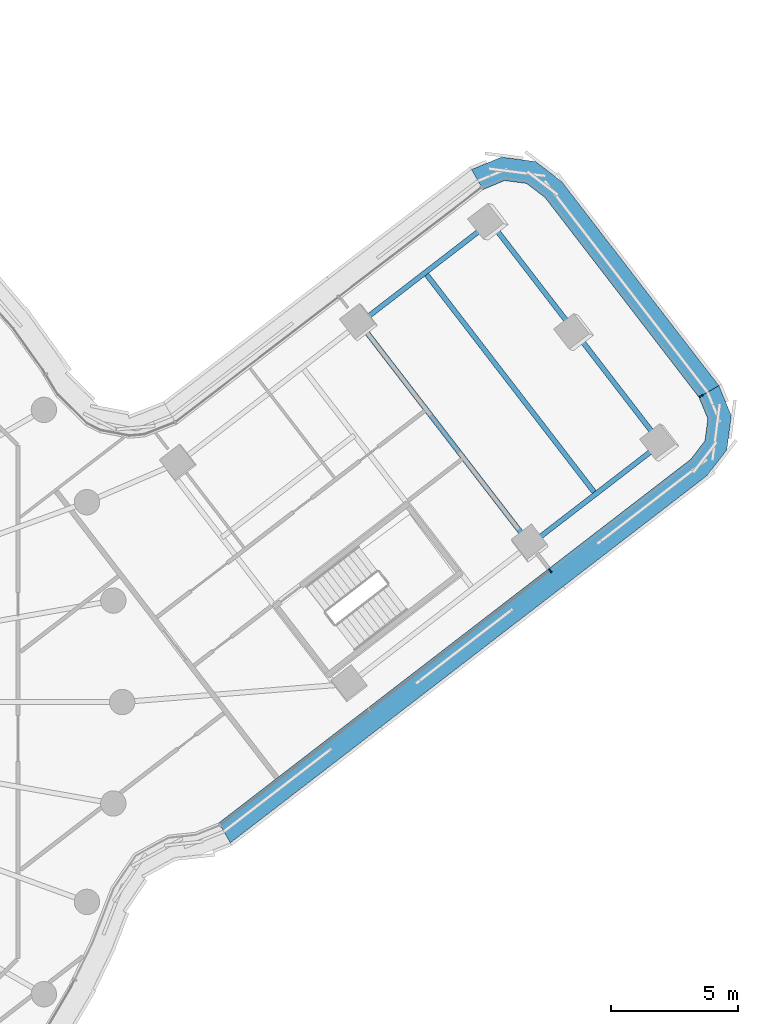
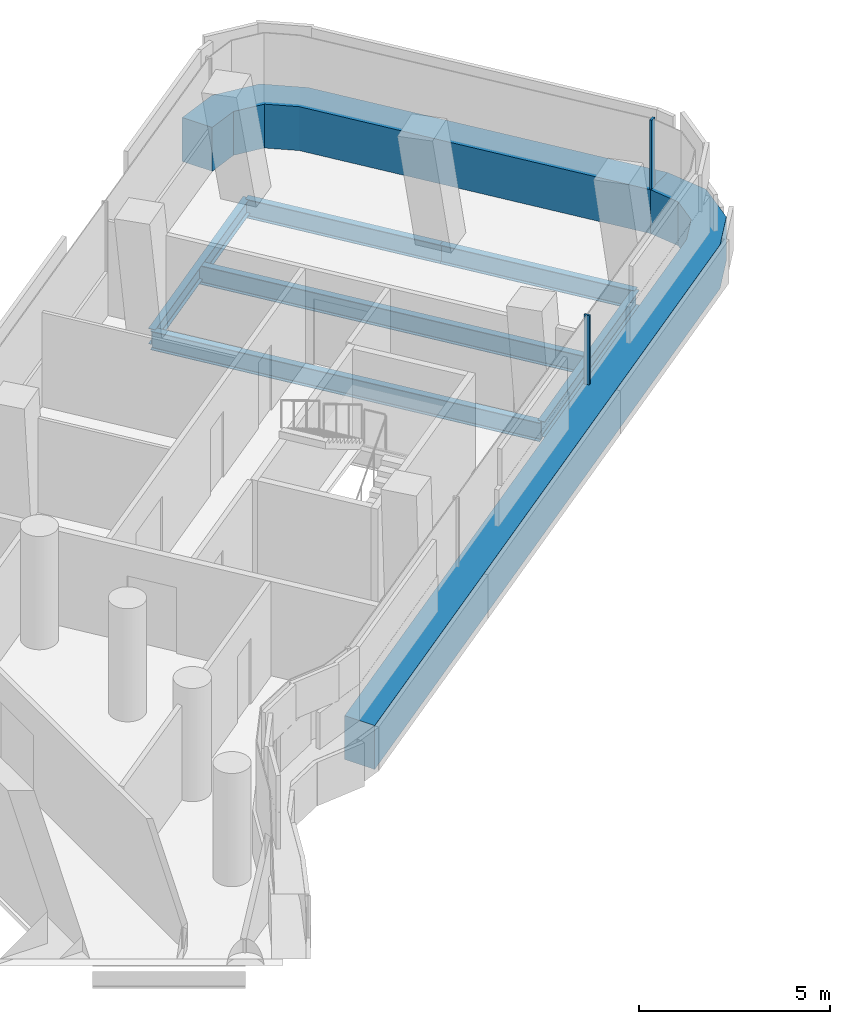
# One storey, part 13 of 33: 6 beams, 4 members, 2 elements without a shape of their own.
"""IFC4 building model written with IfcOpenShell, lengths in metres."""

import ifcopenshell
import ifcopenshell.guid

model = None  # the IFC model being written
_history = None  # IfcOwnerHistory: only IFC2X3 demands one
_inside = {}  # id of a spatial element -> (the spatial element, [elements in it])
_under = {}  # id of a project, library or spatial element -> (it, [spatial elements below it])
_declared = {}  # id of a project -> (the project, [libraries it declares])
_typed = {}  # id of a type object -> (the type object, [elements of that type])
_made_of = {}  # id of a material, layer set ... -> (it, [elements and type objects made of it])


def new_model(schema):
    """Start an empty IFC model of exactly this schema.

    Asked for "IFC4X3", IfcOpenShell would pick the latest addendum, in which some entities
    have other attributes; the version numbers below select the first issue.
    IFC2X3 requires an IfcOwnerHistory on every rooted entity: one is made here for all.
    """
    global model, _history
    if schema == "IFC4X3":
        model = ifcopenshell.file(schema_version=(4, 3, 0, 0))
    else:
        model = ifcopenshell.file(schema=schema)
    _inside.clear()
    _under.clear()
    _declared.clear()
    _typed.clear()
    _made_of.clear()
    _history = None
    if model.schema == "IFC2X3":
        org = make("IfcOrganization", Name="unknown")
        user = make(
            "IfcPersonAndOrganization",
            ThePerson=make("IfcPerson", FamilyName="unknown"),
            TheOrganization=org,
        )
        app = make(
            "IfcApplication",
            ApplicationDeveloper=org,
            Version="unknown",
            ApplicationFullName="unknown",
            ApplicationIdentifier="unknown",
        )
        _history = make(
            "IfcOwnerHistory",
            OwningUser=user,
            OwningApplication=app,
            ChangeAction="ADDED",
            CreationDate=0,
        )
    return model


def make(cls, **values):
    """One entity of the class cls with the attributes given. An attribute that is None is left unset."""
    return model.create_entity(
        cls, **{name: value for name, value in values.items() if value is not None}
    )


def rooted(cls, **values):
    """An entity with a GlobalId (a new one), such as an element, a storey or a relation."""
    return make(cls, GlobalId=ifcopenshell.guid.new(), OwnerHistory=_history, **values)


def si_unit(unit_type, name, prefix=None):
    """IfcSIUnit, for example si_unit("LENGTHUNIT", "METRE", prefix="MILLI")."""
    return make("IfcSIUnit", UnitType=unit_type, Prefix=prefix, Name=name)


def assignment(units):
    """IfcUnitAssignment: the units of a project."""
    return None if units is None else make("IfcUnitAssignment", Units=units)


def point(xyz):
    """IfcCartesianPoint."""
    return None if xyz is None else make("IfcCartesianPoint", Coordinates=xyz)


def direction(xyz):
    """IfcDirection."""
    return None if xyz is None else make("IfcDirection", DirectionRatios=xyz)


def frame(location, z_axis=None, x_axis=None):
    """IfcAxis2Placement3D, a coordinate frame: its origin and axes. An axis left out is left unset."""
    return make(
        "IfcAxis2Placement3D",
        Location=point(location),
        Axis=direction(z_axis),
        RefDirection=direction(x_axis),
    )


def frame_2d(location, x_axis=None):
    """IfcAxis2Placement2D, a coordinate frame in the plane: its origin and x axis."""
    return make(
        "IfcAxis2Placement2D", Location=point(location), RefDirection=direction(x_axis)
    )


def origin():
    """The frame at (0, 0, 0) with its axes left unset."""
    return frame((0.0, 0.0, 0.0))


def origin_2d():
    """The frame at (0, 0) in the plane with its x axis left unset."""
    return frame_2d((0.0, 0.0))


def place(relative_to, where):
    """IfcLocalPlacement: puts the frame where relative to a parent placement (None: the world)."""
    return make(
        "IfcLocalPlacement", PlacementRelTo=relative_to, RelativePlacement=where
    )


def context(
    kind, dimensions, precision=None, world=None, true_north=None, identifier=None
):
    """IfcGeometricRepresentationContext, for example the 3D "Model" context."""
    return make(
        "IfcGeometricRepresentationContext",
        ContextIdentifier=identifier,
        ContextType=kind,
        CoordinateSpaceDimension=dimensions,
        Precision=precision,
        WorldCoordinateSystem=world,
        TrueNorth=true_north,
    )


def subcontext(parent, identifier, kind, view, scale=None):
    """IfcGeometricRepresentationSubContext, for example "Body" below "Model"."""
    return make(
        "IfcGeometricRepresentationSubContext",
        ContextIdentifier=identifier,
        ContextType=kind,
        ParentContext=parent,
        TargetScale=scale,
        TargetView=view,
    )


def project(units=None, contexts=None):
    """IfcProject with its units and contexts."""
    return rooted(
        "IfcProject",
        Name="project",
        RepresentationContexts=contexts,
        UnitsInContext=assignment(units),
    )


def spatial(cls, under=None, at=None, **own):
    """A site, building, storey or space (cls), placed at a placement, below another one or the project."""
    s = rooted(cls, ObjectPlacement=at, **own)
    if under is not None:
        _under.setdefault(under.id(), (under, []))[1].append(s)
    return s


def polyline(points):
    """IfcPolyline through the points."""
    return make("IfcPolyline", Points=[point(p) for p in points])


def profile(cls, at=None, kind="AREA", **sizes):
    """A parametric profile (cls). Its sizes go by their IFC names, for example OverallWidth=200.0."""
    return make(cls, ProfileType=kind, Position=at, **sizes)


def rectangle(**sizes):
    """IfcRectangleProfileDef."""
    return profile("IfcRectangleProfileDef", **sizes)


def i_section(**sizes):
    """IfcIShapeProfileDef."""
    return profile("IfcIShapeProfileDef", **sizes)


def outline(outer, holes=None, kind="AREA"):
    """IfcArbitraryClosedProfileDef: a profile drawn as a closed curve; with holes, ...WithVoids."""
    if holes is None:
        return make("IfcArbitraryClosedProfileDef", ProfileType=kind, OuterCurve=outer)
    return make(
        "IfcArbitraryProfileDefWithVoids",
        ProfileType=kind,
        OuterCurve=outer,
        InnerCurves=holes,
    )


def extrude(swept, where, along, depth):
    """IfcExtrudedAreaSolid: the profile swept, set in the frame where, extruded along a direction by depth."""
    return make(
        "IfcExtrudedAreaSolid",
        SweptArea=swept,
        Position=where,
        ExtrudedDirection=direction(along),
        Depth=depth,
    )


def shape(context_of_items, identifier, shape_type, items):
    """IfcShapeRepresentation: the items that make up one representation, for example the "Body"."""
    return make(
        "IfcShapeRepresentation",
        ContextOfItems=context_of_items,
        RepresentationIdentifier=identifier,
        RepresentationType=shape_type,
        Items=items,
    )


def material(Name=None, Category=None):
    """IfcMaterial."""
    return make("IfcMaterial", Name=Name, Category=Category)


def layer(
    of_material, thickness, ventilated=None, Name=None, Category=None, Priority=None
):
    """IfcMaterialLayer: one layer of a wall or slab, of a material (None: an air gap)."""
    return make(
        "IfcMaterialLayer",
        Material=of_material,
        LayerThickness=thickness,
        IsVentilated=ventilated,
        Name=Name,
        Category=Category,
        Priority=Priority,
    )


def layer_set(layers, Name=None):
    """IfcMaterialLayerSet."""
    return make("IfcMaterialLayerSet", MaterialLayers=layers, LayerSetName=Name)


def material_profile(
    of_material, cross_section, Name=None, Category=None, Priority=None
):
    """IfcMaterialProfile: a cross section and its material."""
    return make(
        "IfcMaterialProfile",
        Name=Name,
        Material=of_material,
        Profile=cross_section,
        Priority=Priority,
        Category=Category,
    )


def profile_set(profiles, Name=None, composite=None):
    """IfcMaterialProfileSet."""
    return make(
        "IfcMaterialProfileSet",
        Name=Name,
        MaterialProfiles=profiles,
        CompositeProfile=composite,
    )


def made_of(thing, what):
    """Note that an element or type object is made of a material, layer set ...; save() writes the relation."""
    if what is not None:
        _made_of.setdefault(what.id(), (what, []))[1].append(thing)
    return thing


def type_object(cls, material=None, **own):
    """A type object (cls), such as IfcWallType, which elements share."""
    return made_of(rooted(cls, **own), material)


def element(
    cls,
    number,
    at=None,
    inside=None,
    cuts=None,
    type_object=None,
    material=None,
    context=None,
    identifier="Body",
    shape_type=None,
    held_by="IfcProductDefinitionShape",
    body=None,
    shapes=None,
    **own,
):
    """One element of the class cls, such as IfcWall. Its Tag is "e" and its number.

    at: its placement. inside: the storey or other place that contains it. cuts: it is an
    opening in that element (IfcRelVoidsElement). A single representation is given by context,
    identifier, shape_type and body (its items); several are given by shapes. held_by: the class
    of the entity that holds the representations. save() writes the other relations.
    """
    e = rooted(cls, Tag="e%d" % number, ObjectPlacement=at, **own)
    if body is not None:
        shapes = [shape(context, identifier, shape_type, body)]
    if shapes is not None:
        e.Representation = make(held_by, Representations=shapes)
    if inside is not None:
        _inside.setdefault(inside.id(), (inside, []))[1].append(e)
    if cuts is not None:
        rooted(
            "IfcRelVoidsElement", RelatingBuildingElement=cuts, RelatedOpeningElement=e
        )
    if type_object is not None:
        _typed.setdefault(type_object.id(), (type_object, []))[1].append(e)
    return made_of(e, material)


def aggregate(whole, parts):
    """IfcRelAggregates: a whole, such as a stair, and the parts it consists of."""
    return rooted("IfcRelAggregates", RelatingObject=whole, RelatedObjects=parts)


def save(model, path):
    """Write the relations noted so far, then the file.

    IfcRelAggregates (storeys below a building ...), IfcRelContainedInSpatialStructure (elements
    in a storey), IfcRelDefinesByType, IfcRelAssociatesMaterial and IfcRelDeclares: one each for
    every whole, place, type object, material and project.
    """
    for whole, parts in _under.values():
        aggregate(whole, parts)
    for where, things in _inside.values():
        rooted(
            "IfcRelContainedInSpatialStructure",
            RelatedElements=things,
            RelatingStructure=where,
        )
    for kind, things in _typed.values():
        rooted("IfcRelDefinesByType", RelatedObjects=things, RelatingType=kind)
    for what, things in _made_of.values():
        rooted("IfcRelAssociatesMaterial", RelatedObjects=things, RelatingMaterial=what)
    for by, libraries in _declared.values():
        rooted("IfcRelDeclares", RelatingContext=by, RelatedDefinitions=libraries)
    model.write(path)


model = new_model("IFC4")

# Units and contexts
model_context = context("Model", 3, precision=1e-05, world=origin(), true_north=direction((0.0, 1.0)))
body_context = subcontext(model_context, "Body", "Model", "MODEL_VIEW")
ifc_project = project(units=[si_unit("LENGTHUNIT", "METRE"), si_unit("AREAUNIT", "SQUARE_METRE"), si_unit("VOLUMEUNIT", "CUBIC_METRE"), si_unit("PLANEANGLEUNIT", "RADIAN"), si_unit("MASSUNIT", "GRAM", prefix="KILO")], contexts=[model_context])

# Site, building, storey
site_placement = place(None, origin())
site = spatial("IfcSite", under=ifc_project, at=site_placement, CompositionType="ELEMENT")
building_placement = place(site_placement, origin())
building = spatial("IfcBuilding", under=site, at=building_placement, Name="Tamarind Cross Interchange Tower", CompositionType="ELEMENT")
storey_placement = place(building_placement, frame((0.0, 0.0, 170.5)))
storey = spatial("IfcBuildingStorey", under=building, at=storey_placement, Name="L42", CompositionType="ELEMENT", Elevation=170.5)

# Beams
ifc_material_1 = material(Name="Steel Q355B", Category="steel")
ifc_material_profile_1 = material_profile(ifc_material_1, i_section(OverallWidth=0.198974609375, OverallDepth=0.49609375, WebThickness=0.009033203125, FlangeThickness=0.013916015625, FilletRadius=0.012939453125, at=origin_2d()), Name="HN 496x199x9x14")
ifc_profile_set_1 = profile_set([ifc_material_profile_1], Name="Steel Q355B")
beam_type_1 = type_object("IfcBeamType", Name="Composite beam HN 496x199x9x14 Q355B", PredefinedType="BEAM", material=ifc_profile_set_1)
for number, where, z_axis, x_axis, name in (
    (1, (44.21337890625, 10.17138671875, -0.387939453125), (-0.792149322679, -0.610327330684, 0.0), (0.610327330684, -0.792149322679, 0.0), "Beam E-edgeem5"),
    (2, (37.499755859375, 18.885009765625, -0.387939453125), (-0.79216747005, -0.610303776324, 0.0), (0.610303776324, -0.79216747005, 0.0), "Beam E-edgeep2"),
):
    element("IfcBeam", number, at=place(storey_placement, frame(where, z_axis=z_axis, x_axis=x_axis)), inside=storey, type_object=beam_type_1, Name=name, PredefinedType="BEAM", context=body_context, shape_type="SweptSolid", body=[
        extrude(i_section(OverallWidth=0.198974609375, OverallDepth=0.49609375, WebThickness=0.009033203125, FlangeThickness=0.013916015625, FilletRadius=0.012939453125, at=origin_2d()), origin(), (0.0, 0.0, 1.0), 6.504150390625),
    ])
ifc_material_profile_2 = material_profile(ifc_material_1, i_section(OverallWidth=0.199951171875, OverallDepth=0.60009765625, WebThickness=0.010986328125, FlangeThickness=0.01708984375, FilletRadius=0.012939453125, at=origin_2d()), Name="HN 600x200x11x17")
ifc_profile_set_2 = profile_set([ifc_material_profile_2], Name="Steel Q355B")
beam_type_2 = type_object("IfcBeamType", Name="Composite beam HN 600x200x11x17 Q355B", PredefinedType="BEAM", material=ifc_profile_set_2)
beam_1_placement = place(storey_placement, frame((44.21337890625, 10.17138671875, -0.43994140625), z_axis=(-0.610332662725, 0.792145214472, 0.0), x_axis=(-0.792145214472, -0.610332662725, 0.0)))
element("IfcBeam", 3, at=beam_1_placement, inside=storey, type_object=beam_type_2, Name="Beam E-tip0", PredefinedType="BEAM", context=body_context, shape_type="SweptSolid", body=[
    extrude(i_section(OverallWidth=0.199951171875, OverallDepth=0.60009765625, WebThickness=0.010986328125, FlangeThickness=0.01708984375, FilletRadius=0.012939453125, at=origin_2d()), origin(), (0.0, 0.0, 1.0), 5.500244140625),
])
beam_2_placement = place(storey_placement, frame((40.8564453125, 14.5283203125, -0.43994140625), z_axis=(-0.610326269486, 0.792150140299, 0.0), x_axis=(-0.792150140299, -0.610326269486, 0.0)))
element("IfcBeam", 4, at=beam_2_placement, inside=storey, type_object=beam_type_2, Name="Beam E-tip1", PredefinedType="BEAM", context=body_context, shape_type="SweptSolid", body=[
    extrude(i_section(OverallWidth=0.199951171875, OverallDepth=0.60009765625, WebThickness=0.010986328125, FlangeThickness=0.01708984375, FilletRadius=0.012939453125, at=origin_2d()), origin(), (0.0, 0.0, 1.0), 5.499755859375),
])
beam_3_placement = place(storey_placement, frame((39.06103515625, 6.20166015625, -0.43994140625), z_axis=(-0.610318735893, 0.792155944634, 0.0), x_axis=(-0.792155944634, -0.610318735893, 0.0)))
element("IfcBeam", 5, at=beam_3_placement, inside=storey, type_object=beam_type_2, Name="Beam E-x393", PredefinedType="BEAM", context=body_context, shape_type="SweptSolid", body=[
    extrude(i_section(OverallWidth=0.199951171875, OverallDepth=0.60009765625, WebThickness=0.010986328125, FlangeThickness=0.01708984375, FilletRadius=0.012939453125, at=origin_2d()), origin(), (0.0, 0.0, 1.0), 11.000244140625),
])
beam_4_placement = place(storey_placement, frame((41.63720703125, 8.1865234375, -0.43994140625), z_axis=(-0.61032946621, 0.792147677315, 0.0), x_axis=(-0.792147677315, -0.61032946621, 0.0)))
element("IfcBeam", 6, at=beam_4_placement, inside=storey, type_object=beam_type_2, Name="Beam E-x426", PredefinedType="BEAM", context=body_context, shape_type="SweptSolid", body=[
    extrude(i_section(OverallWidth=0.199951171875, OverallDepth=0.60009765625, WebThickness=0.010986328125, FlangeThickness=0.01708984375, FilletRadius=0.012939453125, at=origin_2d()), origin(), (0.0, 0.0, 1.0), 11.0),
])

# Curtain wall, member
ifc_material_2 = material(Name="Aluminium 6063-T6", Category="aluminium")
ifc_layer = layer(ifc_material_2, 0.159912109375)
ifc_layer_set = layer_set([ifc_layer], Name="Aluminium 6063-T6")
curtain_wall_type = type_object("IfcCurtainWallType", Name="Office curtain wall, 9.0 m bays", PredefinedType="NOTDEFINED", material=ifc_layer_set)
curtain_wall_1_placement = place(storey_placement, origin())
curtain_wall_1 = element("IfcCurtainWall", 7, at=curtain_wall_1_placement, inside=storey, type_object=curtain_wall_type, Name="CWS-L42-00", PredefinedType="NOTDEFINED")
ifc_material_3 = material(Name="Aluminium and insulated spandrel panel", Category="aluminium")
member_type_1 = type_object("IfcMemberType", Name="Floor-edge blade transom", PredefinedType="USERDEFINED", material=ifc_material_3)
member_1_placement = place(storey_placement, origin())
member_1 = element("IfcMember", 8, at=member_1_placement, type_object=member_type_1, Name="CWT-L42-00", ObjectType="TRANSOM", PredefinedType="USERDEFINED", context=body_context, shape_type="SweptSolid", body=[
    extrude(outline(polyline([(45.699951171875, 11.997802734375), (39.64501953125, 19.85693359375), (38.917724609375, 20.41259765625), (38.050537109375, 20.525146484375), (37.205078125, 20.173095703125), (36.750732421875, 20.958740234375), (37.927001953125, 21.44873046875), (39.272705078125, 21.274169921875), (40.28564453125, 20.5), (46.4853515625, 12.453369140625), (45.699951171875, 11.997802734375)])), origin(), (0.0, 0.0, 1.0), 1.39990234375),
])

curtain_wall_2_placement = place(storey_placement, origin())
curtain_wall_2 = element("IfcCurtainWall", 9, at=curtain_wall_2_placement, inside=storey, type_object=curtain_wall_type, Name="CWS-L42-15", PredefinedType="NOTDEFINED")
member_2_placement = place(storey_placement, origin())
member_2 = element("IfcMember", 10, at=member_2_placement, type_object=member_type_1, Name="CWT-L42-15", ObjectType="TRANSOM", PredefinedType="USERDEFINED", context=body_context, shape_type="SweptSolid", body=[
    extrude(outline(polyline([(26.8076171875, -4.75390625), (45.3837890625, 9.558349609375), (45.939697265625, 10.28564453125), (46.052001953125, 11.15283203125), (45.699951171875, 11.997802734375), (46.4853515625, 12.453369140625), (46.9755859375, 11.2763671875), (46.801025390625, 9.9306640625), (46.02685546875, 8.917724609375), (27.25830078125, -5.542724609375), (26.8076171875, -4.75390625)])), origin(), (0.0, 0.0, 1.0), 1.39990234375),
])

# Member
ifc_material_profile_3 = material_profile(ifc_material_2, rectangle(XDim=0.06005859375, YDim=0.159912109375, at=origin_2d()), Name="Mullion CW1")
ifc_profile_set_3 = profile_set([ifc_material_profile_3], Name="Aluminium 6063-T6")
member_type_2 = type_object("IfcMemberType", Name="Mullion CW1", PredefinedType="MULLION", material=ifc_profile_set_3)
member_3_placement = place(storey_placement, frame((45.787353515625, 12.048583984375, 1.39990234375), z_axis=(0.0, 0.0, 1.0), x_axis=(-0.501704001325, 0.865039360407, 0.0)))
member_3 = element("IfcMember", 11, at=member_3_placement, type_object=member_type_2, Name="CWM-L42-00-00", PredefinedType="MULLION", context=body_context, shape_type="SweptSolid", body=[
    extrude(rectangle(XDim=0.06005859375, YDim=0.159912109375, at=origin_2d()), origin(), (0.0, 0.0, 1.0), 2.210205078125),
])

aggregate(curtain_wall_1, [member_3, member_1])

member_4_placement = place(storey_placement, frame((39.846435546875, 5.165771484375, 1.39990234375), z_axis=(0.0, 0.0, 1.0), x_axis=(0.792153315847, 0.610322147879, 0.0)))
member_4 = element("IfcMember", 12, at=member_4_placement, type_object=member_type_2, Name="CWM-L42-15-02", PredefinedType="MULLION", context=body_context, shape_type="SweptSolid", body=[
    extrude(rectangle(XDim=0.06005859375, YDim=0.159912109375, at=origin_2d()), origin(), (0.0, 0.0, 1.0), 2.210205078125),
])

aggregate(curtain_wall_2, [member_4, member_2])

save(model, "model.ifc")
